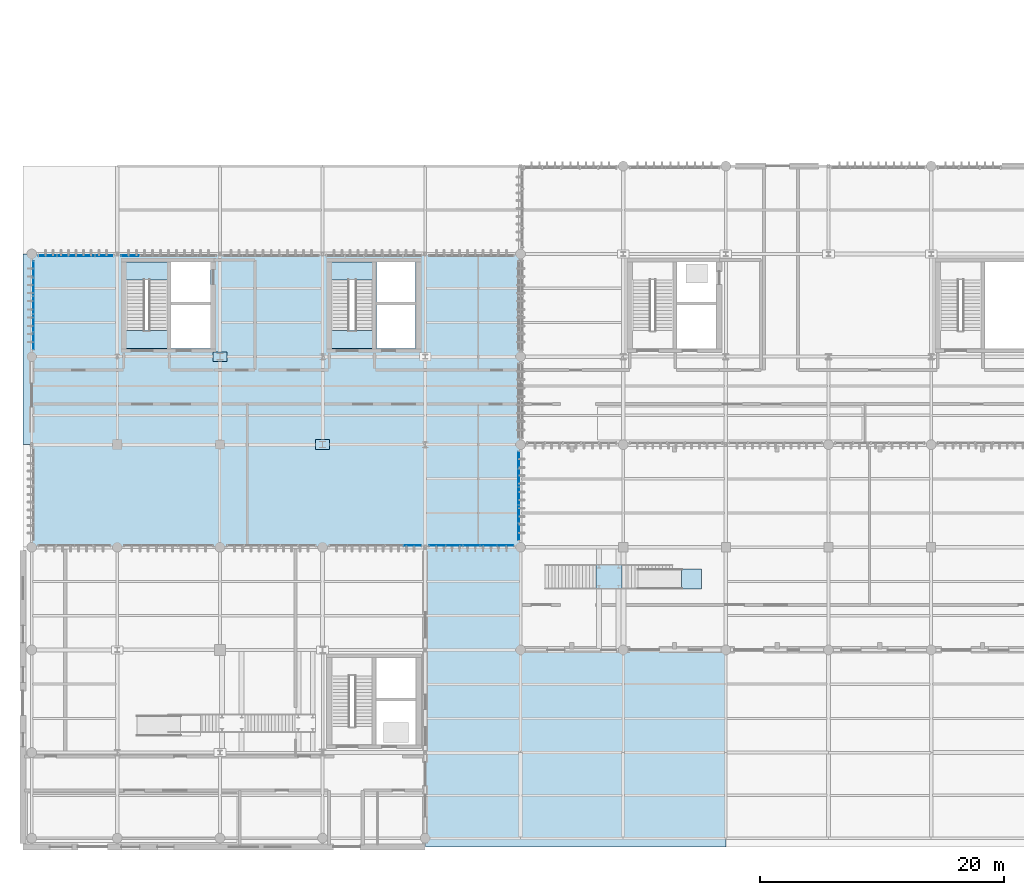
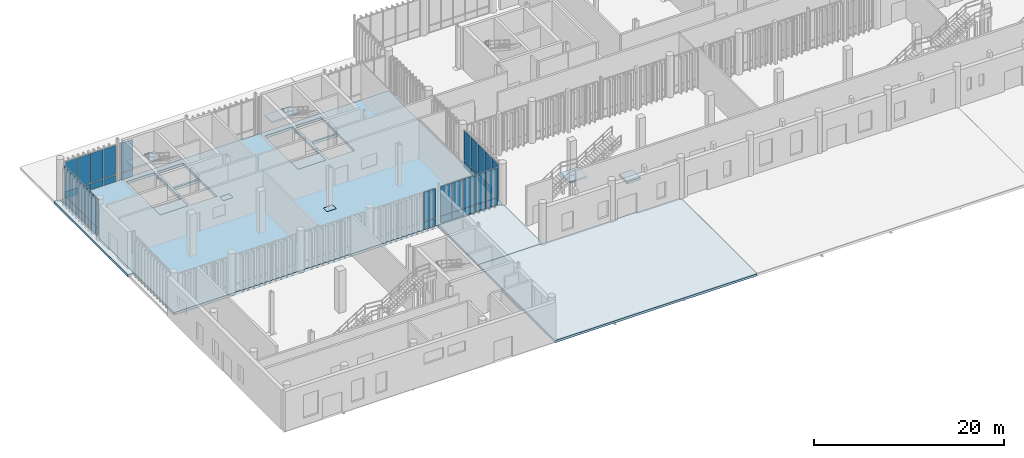
# One storey, part 76 of 112: 44 plates, 10 slabs, 9 elements without a shape of their own.
"""IFC4 building model written with IfcOpenShell, lengths in metres."""

from ifc_helpers import new_model, si_unit, direction, frame, frame_2d, origin_with_axes, origin_2d_with_axis, place, context, subcontext, project, spatial, polyline, rectangle, outline, extrude, material, layer, layer_set, type_object, element, aggregate, save


model = new_model("IFC4")

# Units and contexts
model_context = context("Model", 3, precision=1e-05, world=origin_with_axes(), true_north=direction((0.0, 1.0)))
body_context = subcontext(model_context, "Body", "Model", "MODEL_VIEW")
ifc_project = project(units=[si_unit("LENGTHUNIT", "METRE"), si_unit("AREAUNIT", "SQUARE_METRE"), si_unit("VOLUMEUNIT", "CUBIC_METRE"), si_unit("PLANEANGLEUNIT", "RADIAN"), si_unit("MASSUNIT", "GRAM", prefix="KILO"), si_unit("THERMODYNAMICTEMPERATUREUNIT", "KELVIN")], contexts=[model_context])

# Site, building, storey
site_placement = place(None, origin_with_axes())
site = spatial("IfcSite", under=ifc_project, at=site_placement, CompositionType="ELEMENT")
building_placement = place(site_placement, origin_with_axes())
building = spatial("IfcBuilding", under=site, at=building_placement, Name="Montbau Bow Law Courts", CompositionType="ELEMENT")
storey_placement = place(building_placement, origin_with_axes())
storey = spatial("IfcBuildingStorey", under=building, at=storey_placement, Name="L00", CompositionType="ELEMENT", Elevation=0.0)

# Plates
ifc_material_1 = material(Name="Steel CSA G40.21 Grade 350WT (350 MPa)", Category="steel")
ifc_layer_1 = layer(ifc_material_1, 0.065, Name="Base Plate", Category="steel")
ifc_layer_set_1 = layer_set([ifc_layer_1], Name="Steel CSA G40.21 Grade 350WT (350 MPa)")
plate_type_1 = type_object("IfcPlateType", Name="PL-BAS-01", PredefinedType="USERDEFINED", material=ifc_layer_set_1)
for number, where, z_axis, x_axis, name in (
    (1, (22.2, 46.2, -0.065), (0.0, 0.0, 1.0), (1.0, 0.0, 0.0), "BP-204:plt_0003"),
    (2, (30.6, 39.0, -0.065), (0.0, 0.0, 1.0), (1.0, 0.0, 0.0), "BP-210:plt_0005"),
):
    element("IfcPlate", number, at=place(None, frame(where, z_axis=z_axis, x_axis=x_axis)), inside=storey, type_object=plate_type_1, Name=name, ObjectType="BASE_PLATE", PredefinedType="USERDEFINED", context=body_context, shape_type="SweptSolid", body=[
        extrude(rectangle(XDim=1.15, YDim=0.8, at=origin_2d_with_axis()), origin_with_axes(), (0.0, 0.0, 1.0), 0.065),
    ])

# Curtain wall, plate
ifc_material_2 = material(Name="Thermally Broken Extruded Aluminium AA 6063-T6", Category="aluminium")
curtain_wall_type = type_object("IfcCurtainWallType", Name="CW-TRC-01", PredefinedType="NOTDEFINED", material=ifc_material_2)
curtain_wall_1_placement = place(None, frame((31.115, 30.74, 0.0), z_axis=(0.0, 0.0, 1.0), x_axis=(1.0, 0.0, 0.0)))
curtain_wall_1 = element("IfcCurtainWall", 3, at=curtain_wall_1_placement, inside=storey, type_object=curtain_wall_type, Name="CW-L00-004:cw_0004", PredefinedType="NOTDEFINED")
ifc_material_3 = material(Name="Triple-Glazed Low-E Argon Insulating Glass Unit", Category="glass")
ifc_layer_2 = layer(ifc_material_3, 0.044, Name="Curtain Panel", Category="glass")
ifc_layer_set_2 = layer_set([ifc_layer_2], Name="Triple-Glazed Low-E Argon Insulating Glass Unit")
plate_type_2 = type_object("IfcPlateType", Name="PL-CWP-01", PredefinedType="CURTAIN_PANEL", material=ifc_layer_set_2)
plate_1_placement = place(None, frame((37.243, 30.74, 0.982), z_axis=(0.0, -1.0, 0.0), x_axis=(1.0, 0.0, 0.0)))
plate_1 = element("IfcPlate", 4, at=plate_1_placement, type_object=plate_type_2, Name="CW-L00-004-P05-2:cw_0004_P05_2", PredefinedType="CURTAIN_PANEL", context=body_context, shape_type="SweptSolid", body=[
    extrude(rectangle(XDim=1.423, YDim=3.776, at=frame_2d((0.7115, 1.888), x_axis=(1.0, 0.0))), frame((0.0, 0.0, -0.022), z_axis=(0.0, 0.0, 1.0), x_axis=(1.0, 0.0, 0.0)), (0.0, 0.0, 1.0), 0.044),
])

# Curtain wall, plates
curtain_wall_2_placement = place(None, frame((39.268, 30.74, 0.0), z_axis=(0.0, 0.0, 1.0), x_axis=(1.0, 0.0, 0.0)))
curtain_wall_2 = element("IfcCurtainWall", 5, at=curtain_wall_2_placement, inside=storey, type_object=curtain_wall_type, Name="CW-L00-005:cw_0005", PredefinedType="NOTDEFINED")
plate_2_placement = place(None, frame((39.33, 30.74, 0.979), z_axis=(0.0, -1.0, 0.0), x_axis=(1.0, 0.0, 0.0)))
plate_2 = element("IfcPlate", 6, at=plate_2_placement, type_object=plate_type_2, Name="CW-L00-005-P01-2:cw_0005_P01_2", PredefinedType="CURTAIN_PANEL", context=body_context, shape_type="SweptSolid", body=[
    extrude(rectangle(XDim=1.309, YDim=3.785, at=frame_2d((0.6545, 1.8925), x_axis=(1.0, 0.0))), frame((0.0, 0.0, -0.022), z_axis=(0.0, 0.0, 1.0), x_axis=(1.0, 0.0, 0.0)), (0.0, 0.0, 1.0), 0.044),
])
plate_3_placement = place(None, frame((40.703, 30.74, 0.979), z_axis=(0.0, -1.0, 0.0), x_axis=(1.0, 0.0, 0.0)))
plate_3 = element("IfcPlate", 7, at=plate_3_placement, type_object=plate_type_2, Name="CW-L00-005-P02-2:cw_0005_P02_2", PredefinedType="CURTAIN_PANEL", context=body_context, shape_type="SweptSolid", body=[
    extrude(rectangle(XDim=1.34, YDim=3.785, at=frame_2d((0.67, 1.8925), x_axis=(1.0, 0.0))), frame((0.0, 0.0, -0.022), z_axis=(0.0, 0.0, 1.0), x_axis=(1.0, 0.0, 0.0)), (0.0, 0.0, 1.0), 0.044),
])
plate_4_placement = place(None, frame((42.107, 30.74, 0.979), z_axis=(0.0, -1.0, 0.0), x_axis=(1.0, 0.0, 0.0)))
plate_4 = element("IfcPlate", 8, at=plate_4_placement, type_object=plate_type_2, Name="CW-L00-005-P03-2:cw_0005_P03_2", PredefinedType="CURTAIN_PANEL", context=body_context, shape_type="SweptSolid", body=[
    extrude(rectangle(XDim=1.339, YDim=3.785, at=frame_2d((0.6695, 1.8925), x_axis=(1.0, 0.0))), frame((0.0, 0.0, -0.022), z_axis=(0.0, 0.0, 1.0), x_axis=(1.0, 0.0, 0.0)), (0.0, 0.0, 1.0), 0.044),
])
plate_5_placement = place(None, frame((43.51, 30.74, 0.979), z_axis=(0.0, -1.0, 0.0), x_axis=(1.0, 0.0, 0.0)))
plate_5 = element("IfcPlate", 9, at=plate_5_placement, type_object=plate_type_2, Name="CW-L00-005-P04-2:cw_0005_P04_2", PredefinedType="CURTAIN_PANEL", context=body_context, shape_type="SweptSolid", body=[
    extrude(rectangle(XDim=1.34, YDim=3.785, at=frame_2d((0.67, 1.8925), x_axis=(1.0, 0.0))), frame((0.0, 0.0, -0.022), z_axis=(0.0, 0.0, 1.0), x_axis=(1.0, 0.0, 0.0)), (0.0, 0.0, 1.0), 0.044),
])
plate_6_placement = place(None, frame((44.914, 30.74, 0.979), z_axis=(0.0, -1.0, 0.0), x_axis=(1.0, 0.0, 0.0)))
plate_6 = element("IfcPlate", 10, at=plate_6_placement, type_object=plate_type_2, Name="CW-L00-005-P05-2:cw_0005_P05_2", PredefinedType="CURTAIN_PANEL", context=body_context, shape_type="SweptSolid", body=[
    extrude(rectangle(XDim=1.309, YDim=3.785, at=frame_2d((0.6545, 1.8925), x_axis=(1.0, 0.0))), frame((0.0, 0.0, -0.022), z_axis=(0.0, 0.0, 1.0), x_axis=(1.0, 0.0, 0.0)), (0.0, 0.0, 1.0), 0.044),
])

curtain_wall_3_placement = place(None, frame((7.315, 54.46, 0.0), z_axis=(0.0, 0.0, 1.0), x_axis=(1.0, 0.0, 0.0)))
curtain_wall_3 = element("IfcCurtainWall", 11, at=curtain_wall_3_placement, inside=storey, type_object=curtain_wall_type, Name="CW-L00-006:cw_0006", PredefinedType="NOTDEFINED")
plate_7_placement = place(None, frame((7.391, 54.46, 0.982), z_axis=(0.0, -1.0, 0.0), x_axis=(1.0, 0.0, 0.0)))
plate_7 = element("IfcPlate", 12, at=plate_7_placement, type_object=plate_type_2, Name="CW-L00-006-P01-2:cw_0006_P01_2", PredefinedType="CURTAIN_PANEL", context=body_context, shape_type="SweptSolid", body=[
    extrude(rectangle(XDim=1.438, YDim=3.776, at=frame_2d((0.719, 1.888), x_axis=(1.0, 0.0))), frame((0.0, 0.0, -0.022), z_axis=(0.0, 0.0, 1.0), x_axis=(1.0, 0.0, 0.0)), (0.0, 0.0, 1.0), 0.044),
])
plate_8_placement = place(None, frame((8.909, 54.46, 0.982), z_axis=(0.0, -1.0, 0.0), x_axis=(1.0, 0.0, 0.0)))
plate_8 = element("IfcPlate", 13, at=plate_8_placement, type_object=plate_type_2, Name="CW-L00-006-P02-2:cw_0006_P02_2", PredefinedType="CURTAIN_PANEL", context=body_context, shape_type="SweptSolid", body=[
    extrude(rectangle(XDim=1.476, YDim=3.776, at=frame_2d((0.738, 1.888), x_axis=(1.0, 0.0))), frame((0.0, 0.0, -0.022), z_axis=(0.0, 0.0, 1.0), x_axis=(1.0, 0.0, 0.0)), (0.0, 0.0, 1.0), 0.044),
])
plate_9_placement = place(None, frame((10.463, 54.46, 0.982), z_axis=(0.0, -1.0, 0.0), x_axis=(1.0, 0.0, 0.0)))
plate_9 = element("IfcPlate", 14, at=plate_9_placement, type_object=plate_type_2, Name="CW-L00-006-P03-2:cw_0006_P03_2", PredefinedType="CURTAIN_PANEL", context=body_context, shape_type="SweptSolid", body=[
    extrude(rectangle(XDim=1.476, YDim=3.776, at=frame_2d((0.738, 1.888), x_axis=(1.0, 0.0))), frame((0.0, 0.0, -0.022), z_axis=(0.0, 0.0, 1.0), x_axis=(1.0, 0.0, 0.0)), (0.0, 0.0, 1.0), 0.044),
])
plate_10_placement = place(None, frame((12.017, 54.46, 0.982), z_axis=(0.0, -1.0, 0.0), x_axis=(1.0, 0.0, 0.0)))
plate_10 = element("IfcPlate", 15, at=plate_10_placement, type_object=plate_type_2, Name="CW-L00-006-P04-2:cw_0006_P04_2", PredefinedType="CURTAIN_PANEL", context=body_context, shape_type="SweptSolid", body=[
    extrude(rectangle(XDim=1.439, YDim=3.776, at=frame_2d((0.7195, 1.888), x_axis=(1.0, 0.0))), frame((0.0, 0.0, -0.022), z_axis=(0.0, 0.0, 1.0), x_axis=(1.0, 0.0, 0.0)), (0.0, 0.0, 1.0), 0.044),
])

# Curtain wall, plate
curtain_wall_4_placement = place(None, frame((14.068, 54.46, 0.0), z_axis=(0.0, 0.0, 1.0), x_axis=(1.0, 0.0, 0.0)))
curtain_wall_4 = element("IfcCurtainWall", 16, at=curtain_wall_4_placement, inside=storey, type_object=curtain_wall_type, Name="CW-L00-007:cw_0007", PredefinedType="NOTDEFINED")
plate_11_placement = place(None, frame((14.136, 54.46, 0.979), z_axis=(0.0, -1.0, 0.0), x_axis=(1.0, 0.0, 0.0)))
plate_11 = element("IfcPlate", 17, at=plate_11_placement, type_object=plate_type_2, Name="CW-L00-007-P01-2:cw_0007_P01_2", PredefinedType="CURTAIN_PANEL", context=body_context, shape_type="SweptSolid", body=[
    extrude(rectangle(XDim=1.47, YDim=3.785, at=frame_2d((0.735, 1.8925), x_axis=(1.0, 0.0))), frame((0.0, 0.0, -0.022), z_axis=(0.0, 0.0, 1.0), x_axis=(1.0, 0.0, 0.0)), (0.0, 0.0, 1.0), 0.044),
])

# Curtain wall, plates
curtain_wall_5_placement = place(None, frame((6.94, 46.715, 0.0), z_axis=(0.0, 0.0, 1.0), x_axis=(1.0, 0.0, 0.0)))
curtain_wall_5 = element("IfcCurtainWall", 18, at=curtain_wall_5_placement, inside=storey, type_object=curtain_wall_type, Name="CW-L00-012:cw_0012", PredefinedType="NOTDEFINED")
plate_12_placement = place(None, frame((6.94, 46.791, 0.982), z_axis=(1.0, 0.0, 0.0), x_axis=(0.0, 1.0, 0.0)))
plate_12 = element("IfcPlate", 19, at=plate_12_placement, type_object=plate_type_2, Name="CW-L00-012-P01-2:cw_0012_P01_2", PredefinedType="CURTAIN_PANEL", context=body_context, shape_type="SweptSolid", body=[
    extrude(rectangle(XDim=1.358, YDim=3.776, at=frame_2d((0.679, 1.888), x_axis=(1.0, 0.0))), frame((0.0, 0.0, -0.022), z_axis=(0.0, 0.0, 1.0), x_axis=(1.0, 0.0, 0.0)), (0.0, 0.0, 1.0), 0.044),
])
plate_13_placement = place(None, frame((6.94, 48.229, 0.982), z_axis=(1.0, 0.0, 0.0), x_axis=(0.0, 1.0, 0.0)))
plate_13 = element("IfcPlate", 20, at=plate_13_placement, type_object=plate_type_2, Name="CW-L00-012-P02-2:cw_0012_P02_2", PredefinedType="CURTAIN_PANEL", context=body_context, shape_type="SweptSolid", body=[
    extrude(rectangle(XDim=1.395, YDim=3.776, at=frame_2d((0.6975, 1.888), x_axis=(1.0, 0.0))), frame((0.0, 0.0, -0.022), z_axis=(0.0, 0.0, 1.0), x_axis=(1.0, 0.0, 0.0)), (0.0, 0.0, 1.0), 0.044),
])
plate_14_placement = place(None, frame((6.94, 49.702, 0.982), z_axis=(1.0, 0.0, 0.0), x_axis=(0.0, 1.0, 0.0)))
plate_14 = element("IfcPlate", 21, at=plate_14_placement, type_object=plate_type_2, Name="CW-L00-012-P03-2:cw_0012_P03_2", PredefinedType="CURTAIN_PANEL", context=body_context, shape_type="SweptSolid", body=[
    extrude(rectangle(XDim=1.396, YDim=3.776, at=frame_2d((0.698, 1.888), x_axis=(1.0, 0.0))), frame((0.0, 0.0, -0.022), z_axis=(0.0, 0.0, 1.0), x_axis=(1.0, 0.0, 0.0)), (0.0, 0.0, 1.0), 0.044),
])
plate_15_placement = place(None, frame((6.94, 51.176, 0.982), z_axis=(1.0, 0.0, 0.0), x_axis=(0.0, 1.0, 0.0)))
plate_15 = element("IfcPlate", 22, at=plate_15_placement, type_object=plate_type_2, Name="CW-L00-012-P04-2:cw_0012_P04_2", PredefinedType="CURTAIN_PANEL", context=body_context, shape_type="SweptSolid", body=[
    extrude(rectangle(XDim=1.396, YDim=3.776, at=frame_2d((0.698, 1.888), x_axis=(1.0, 0.0))), frame((0.0, 0.0, -0.022), z_axis=(0.0, 0.0, 1.0), x_axis=(1.0, 0.0, 0.0)), (0.0, 0.0, 1.0), 0.044),
])
plate_16_placement = place(None, frame((6.94, 52.65, 0.982), z_axis=(1.0, 0.0, 0.0), x_axis=(0.0, 1.0, 0.0)))
plate_16 = element("IfcPlate", 23, at=plate_16_placement, type_object=plate_type_2, Name="CW-L00-012-P05-2:cw_0012_P05_2", PredefinedType="CURTAIN_PANEL", context=body_context, shape_type="SweptSolid", body=[
    extrude(rectangle(XDim=1.358, YDim=3.776, at=frame_2d((0.679, 1.888), x_axis=(1.0, 0.0))), frame((0.0, 0.0, -0.022), z_axis=(0.0, 0.0, 1.0), x_axis=(1.0, 0.0, 0.0)), (0.0, 0.0, 1.0), 0.044),
])

curtain_wall_6_placement = place(None, frame((46.66, 31.115, 0.0), z_axis=(0.0, 0.0, 1.0), x_axis=(1.0, 0.0, 0.0)))
curtain_wall_6 = element("IfcCurtainWall", 24, at=curtain_wall_6_placement, inside=storey, type_object=curtain_wall_type, Name="CW-L00-013:cw_0013", PredefinedType="NOTDEFINED")
plate_17_placement = place(None, frame((46.66, 31.183, 0.979), z_axis=(1.0, 0.0, 0.0), x_axis=(0.0, 1.0, 0.0)))
plate_17 = element("IfcPlate", 25, at=plate_17_placement, type_object=plate_type_2, Name="CW-L00-013-P01-2:cw_0013_P01_2", PredefinedType="CURTAIN_PANEL", context=body_context, shape_type="SweptSolid", body=[
    extrude(rectangle(XDim=1.372, YDim=3.785, at=frame_2d((0.686, 1.8925), x_axis=(1.0, 0.0))), frame((0.0, 0.0, -0.022), z_axis=(0.0, 0.0, 1.0), x_axis=(1.0, 0.0, 0.0)), (0.0, 0.0, 1.0), 0.044),
])
plate_18_placement = place(None, frame((46.66, 32.623, 0.979), z_axis=(1.0, 0.0, 0.0), x_axis=(0.0, 1.0, 0.0)))
plate_18 = element("IfcPlate", 26, at=plate_18_placement, type_object=plate_type_2, Name="CW-L00-013-P02-2:cw_0013_P02_2", PredefinedType="CURTAIN_PANEL", context=body_context, shape_type="SweptSolid", body=[
    extrude(rectangle(XDim=1.405, YDim=3.785, at=frame_2d((0.7025, 1.8925), x_axis=(1.0, 0.0))), frame((0.0, 0.0, -0.022), z_axis=(0.0, 0.0, 1.0), x_axis=(1.0, 0.0, 0.0)), (0.0, 0.0, 1.0), 0.044),
])
plate_19_placement = place(None, frame((46.66, 34.097, 0.979), z_axis=(1.0, 0.0, 0.0), x_axis=(0.0, 1.0, 0.0)))
plate_19 = element("IfcPlate", 27, at=plate_19_placement, type_object=plate_type_2, Name="CW-L00-013-P03-2:cw_0013_P03_2", PredefinedType="CURTAIN_PANEL", context=body_context, shape_type="SweptSolid", body=[
    extrude(rectangle(XDim=1.406, YDim=3.785, at=frame_2d((0.703, 1.8925), x_axis=(1.0, 0.0))), frame((0.0, 0.0, -0.022), z_axis=(0.0, 0.0, 1.0), x_axis=(1.0, 0.0, 0.0)), (0.0, 0.0, 1.0), 0.044),
])
plate_20_placement = place(None, frame((46.66, 35.571, 0.979), z_axis=(1.0, 0.0, 0.0), x_axis=(0.0, 1.0, 0.0)))
plate_20 = element("IfcPlate", 28, at=plate_20_placement, type_object=plate_type_2, Name="CW-L00-013-P04-2:cw_0013_P04_2", PredefinedType="CURTAIN_PANEL", context=body_context, shape_type="SweptSolid", body=[
    extrude(rectangle(XDim=1.406, YDim=3.785, at=frame_2d((0.703, 1.8925), x_axis=(1.0, 0.0))), frame((0.0, 0.0, -0.022), z_axis=(0.0, 0.0, 1.0), x_axis=(1.0, 0.0, 0.0)), (0.0, 0.0, 1.0), 0.044),
])
plate_21_placement = place(None, frame((46.66, 37.045, 0.979), z_axis=(1.0, 0.0, 0.0), x_axis=(0.0, 1.0, 0.0)))
plate_21 = element("IfcPlate", 29, at=plate_21_placement, type_object=plate_type_2, Name="CW-L00-013-P05-2:cw_0013_P05_2", PredefinedType="CURTAIN_PANEL", context=body_context, shape_type="SweptSolid", body=[
    extrude(rectangle(XDim=1.374, YDim=3.785, at=frame_2d((0.687, 1.8925), x_axis=(1.0, 0.0))), frame((0.0, 0.0, -0.022), z_axis=(0.0, 0.0, 1.0), x_axis=(1.0, 0.0, 0.0)), (0.0, 0.0, 1.0), 0.044),
])

# Plate
ifc_material_4 = material(Name="Insulated Ceramic-Frit Spandrel Glazing Unit", Category="glass")
ifc_layer_3 = layer(ifc_material_4, 0.056, Name="Curtain Panel", Category="glass")
ifc_layer_set_3 = layer_set([ifc_layer_3], Name="Insulated Ceramic-Frit Spandrel Glazing Unit")
plate_type_3 = type_object("IfcPlateType", Name="PL-CWP-02", PredefinedType="CURTAIN_PANEL", material=ifc_layer_set_3)
plate_22_placement = place(None, frame((37.243, 30.74, 0.062), z_axis=(0.0, -1.0, 0.0), x_axis=(1.0, 0.0, 0.0)))
plate_22 = element("IfcPlate", 30, at=plate_22_placement, type_object=plate_type_3, Name="CW-L00-004-P05-1:cw_0004_P05_1", PredefinedType="CURTAIN_PANEL", context=body_context, shape_type="SweptSolid", body=[
    extrude(rectangle(XDim=1.423, YDim=0.856, at=frame_2d((0.7115, 0.428), x_axis=(1.0, 0.0))), frame((0.0, 0.0, -0.028), z_axis=(0.0, 0.0, 1.0), x_axis=(1.0, 0.0, 0.0)), (0.0, 0.0, 1.0), 0.056),
])

aggregate(curtain_wall_1, [plate_22, plate_1])

plate_23_placement = place(None, frame((39.33, 30.74, 0.058), z_axis=(0.0, -1.0, 0.0), x_axis=(1.0, 0.0, 0.0)))
plate_23 = element("IfcPlate", 31, at=plate_23_placement, type_object=plate_type_3, Name="CW-L00-005-P01-1:cw_0005_P01_1", PredefinedType="CURTAIN_PANEL", context=body_context, shape_type="SweptSolid", body=[
    extrude(rectangle(XDim=1.309, YDim=0.862, at=frame_2d((0.6545, 0.431), x_axis=(1.0, 0.0))), frame((0.0, 0.0, -0.028), z_axis=(0.0, 0.0, 1.0), x_axis=(1.0, 0.0, 0.0)), (0.0, 0.0, 1.0), 0.056),
])

plate_24_placement = place(None, frame((40.703, 30.74, 0.058), z_axis=(0.0, -1.0, 0.0), x_axis=(1.0, 0.0, 0.0)))
plate_24 = element("IfcPlate", 32, at=plate_24_placement, type_object=plate_type_3, Name="CW-L00-005-P02-1:cw_0005_P02_1", PredefinedType="CURTAIN_PANEL", context=body_context, shape_type="SweptSolid", body=[
    extrude(rectangle(XDim=1.34, YDim=0.862, at=frame_2d((0.67, 0.431), x_axis=(1.0, 0.0))), frame((0.0, 0.0, -0.028), z_axis=(0.0, 0.0, 1.0), x_axis=(1.0, 0.0, 0.0)), (0.0, 0.0, 1.0), 0.056),
])

plate_25_placement = place(None, frame((42.107, 30.74, 0.058), z_axis=(0.0, -1.0, 0.0), x_axis=(1.0, 0.0, 0.0)))
plate_25 = element("IfcPlate", 33, at=plate_25_placement, type_object=plate_type_3, Name="CW-L00-005-P03-1:cw_0005_P03_1", PredefinedType="CURTAIN_PANEL", context=body_context, shape_type="SweptSolid", body=[
    extrude(rectangle(XDim=1.339, YDim=0.862, at=frame_2d((0.6695, 0.431), x_axis=(1.0, 0.0))), frame((0.0, 0.0, -0.028), z_axis=(0.0, 0.0, 1.0), x_axis=(1.0, 0.0, 0.0)), (0.0, 0.0, 1.0), 0.056),
])

plate_26_placement = place(None, frame((43.51, 30.74, 0.058), z_axis=(0.0, -1.0, 0.0), x_axis=(1.0, 0.0, 0.0)))
plate_26 = element("IfcPlate", 34, at=plate_26_placement, type_object=plate_type_3, Name="CW-L00-005-P04-1:cw_0005_P04_1", PredefinedType="CURTAIN_PANEL", context=body_context, shape_type="SweptSolid", body=[
    extrude(rectangle(XDim=1.34, YDim=0.862, at=frame_2d((0.67, 0.431), x_axis=(1.0, 0.0))), frame((0.0, 0.0, -0.028), z_axis=(0.0, 0.0, 1.0), x_axis=(1.0, 0.0, 0.0)), (0.0, 0.0, 1.0), 0.056),
])

plate_27_placement = place(None, frame((44.914, 30.74, 0.058), z_axis=(0.0, -1.0, 0.0), x_axis=(1.0, 0.0, 0.0)))
plate_27 = element("IfcPlate", 35, at=plate_27_placement, type_object=plate_type_3, Name="CW-L00-005-P05-1:cw_0005_P05_1", PredefinedType="CURTAIN_PANEL", context=body_context, shape_type="SweptSolid", body=[
    extrude(rectangle(XDim=1.309, YDim=0.862, at=frame_2d((0.6545, 0.431), x_axis=(1.0, 0.0))), frame((0.0, 0.0, -0.028), z_axis=(0.0, 0.0, 1.0), x_axis=(1.0, 0.0, 0.0)), (0.0, 0.0, 1.0), 0.056),
])

aggregate(curtain_wall_2, [plate_23, plate_2, plate_24, plate_3, plate_25, plate_4, plate_26, plate_5, plate_27, plate_6])

plate_28_placement = place(None, frame((7.391, 54.46, 0.062), z_axis=(0.0, -1.0, 0.0), x_axis=(1.0, 0.0, 0.0)))
plate_28 = element("IfcPlate", 36, at=plate_28_placement, type_object=plate_type_3, Name="CW-L00-006-P01-1:cw_0006_P01_1", PredefinedType="CURTAIN_PANEL", context=body_context, shape_type="SweptSolid", body=[
    extrude(rectangle(XDim=1.438, YDim=0.856, at=frame_2d((0.719, 0.428), x_axis=(1.0, 0.0))), frame((0.0, 0.0, -0.028), z_axis=(0.0, 0.0, 1.0), x_axis=(1.0, 0.0, 0.0)), (0.0, 0.0, 1.0), 0.056),
])

plate_29_placement = place(None, frame((8.909, 54.46, 0.062), z_axis=(0.0, -1.0, 0.0), x_axis=(1.0, 0.0, 0.0)))
plate_29 = element("IfcPlate", 37, at=plate_29_placement, type_object=plate_type_3, Name="CW-L00-006-P02-1:cw_0006_P02_1", PredefinedType="CURTAIN_PANEL", context=body_context, shape_type="SweptSolid", body=[
    extrude(rectangle(XDim=1.476, YDim=0.856, at=frame_2d((0.738, 0.428), x_axis=(1.0, 0.0))), frame((0.0, 0.0, -0.028), z_axis=(0.0, 0.0, 1.0), x_axis=(1.0, 0.0, 0.0)), (0.0, 0.0, 1.0), 0.056),
])

plate_30_placement = place(None, frame((10.463, 54.46, 0.062), z_axis=(0.0, -1.0, 0.0), x_axis=(1.0, 0.0, 0.0)))
plate_30 = element("IfcPlate", 38, at=plate_30_placement, type_object=plate_type_3, Name="CW-L00-006-P03-1:cw_0006_P03_1", PredefinedType="CURTAIN_PANEL", context=body_context, shape_type="SweptSolid", body=[
    extrude(rectangle(XDim=1.476, YDim=0.856, at=frame_2d((0.738, 0.428), x_axis=(1.0, 0.0))), frame((0.0, 0.0, -0.028), z_axis=(0.0, 0.0, 1.0), x_axis=(1.0, 0.0, 0.0)), (0.0, 0.0, 1.0), 0.056),
])

plate_31_placement = place(None, frame((12.017, 54.46, 0.062), z_axis=(0.0, -1.0, 0.0), x_axis=(1.0, 0.0, 0.0)))
plate_31 = element("IfcPlate", 39, at=plate_31_placement, type_object=plate_type_3, Name="CW-L00-006-P04-1:cw_0006_P04_1", PredefinedType="CURTAIN_PANEL", context=body_context, shape_type="SweptSolid", body=[
    extrude(rectangle(XDim=1.439, YDim=0.856, at=frame_2d((0.7195, 0.428), x_axis=(1.0, 0.0))), frame((0.0, 0.0, -0.028), z_axis=(0.0, 0.0, 1.0), x_axis=(1.0, 0.0, 0.0)), (0.0, 0.0, 1.0), 0.056),
])

aggregate(curtain_wall_3, [plate_28, plate_7, plate_29, plate_8, plate_30, plate_9, plate_31, plate_10])

plate_32_placement = place(None, frame((14.136, 54.46, 0.058), z_axis=(0.0, -1.0, 0.0), x_axis=(1.0, 0.0, 0.0)))
plate_32 = element("IfcPlate", 40, at=plate_32_placement, type_object=plate_type_3, Name="CW-L00-007-P01-1:cw_0007_P01_1", PredefinedType="CURTAIN_PANEL", context=body_context, shape_type="SweptSolid", body=[
    extrude(rectangle(XDim=1.47, YDim=0.862, at=frame_2d((0.735, 0.431), x_axis=(1.0, 0.0))), frame((0.0, 0.0, -0.028), z_axis=(0.0, 0.0, 1.0), x_axis=(1.0, 0.0, 0.0)), (0.0, 0.0, 1.0), 0.056),
])

aggregate(curtain_wall_4, [plate_32, plate_11])

plate_33_placement = place(None, frame((6.94, 46.791, 0.062), z_axis=(1.0, 0.0, 0.0), x_axis=(0.0, 1.0, 0.0)))
plate_33 = element("IfcPlate", 41, at=plate_33_placement, type_object=plate_type_3, Name="CW-L00-012-P01-1:cw_0012_P01_1", PredefinedType="CURTAIN_PANEL", context=body_context, shape_type="SweptSolid", body=[
    extrude(rectangle(XDim=1.358, YDim=0.856, at=frame_2d((0.679, 0.428), x_axis=(1.0, 0.0))), frame((0.0, 0.0, -0.028), z_axis=(0.0, 0.0, 1.0), x_axis=(1.0, 0.0, 0.0)), (0.0, 0.0, 1.0), 0.056),
])

plate_34_placement = place(None, frame((6.94, 48.229, 0.062), z_axis=(1.0, 0.0, 0.0), x_axis=(0.0, 1.0, 0.0)))
plate_34 = element("IfcPlate", 42, at=plate_34_placement, type_object=plate_type_3, Name="CW-L00-012-P02-1:cw_0012_P02_1", PredefinedType="CURTAIN_PANEL", context=body_context, shape_type="SweptSolid", body=[
    extrude(rectangle(XDim=1.395, YDim=0.856, at=frame_2d((0.6975, 0.428), x_axis=(1.0, 0.0))), frame((0.0, 0.0, -0.028), z_axis=(0.0, 0.0, 1.0), x_axis=(1.0, 0.0, 0.0)), (0.0, 0.0, 1.0), 0.056),
])

plate_35_placement = place(None, frame((6.94, 49.702, 0.062), z_axis=(1.0, 0.0, 0.0), x_axis=(0.0, 1.0, 0.0)))
plate_35 = element("IfcPlate", 43, at=plate_35_placement, type_object=plate_type_3, Name="CW-L00-012-P03-1:cw_0012_P03_1", PredefinedType="CURTAIN_PANEL", context=body_context, shape_type="SweptSolid", body=[
    extrude(rectangle(XDim=1.396, YDim=0.856, at=frame_2d((0.698, 0.428), x_axis=(1.0, 0.0))), frame((0.0, 0.0, -0.028), z_axis=(0.0, 0.0, 1.0), x_axis=(1.0, 0.0, 0.0)), (0.0, 0.0, 1.0), 0.056),
])

plate_36_placement = place(None, frame((6.94, 51.176, 0.062), z_axis=(1.0, 0.0, 0.0), x_axis=(0.0, 1.0, 0.0)))
plate_36 = element("IfcPlate", 44, at=plate_36_placement, type_object=plate_type_3, Name="CW-L00-012-P04-1:cw_0012_P04_1", PredefinedType="CURTAIN_PANEL", context=body_context, shape_type="SweptSolid", body=[
    extrude(rectangle(XDim=1.396, YDim=0.856, at=frame_2d((0.698, 0.428), x_axis=(1.0, 0.0))), frame((0.0, 0.0, -0.028), z_axis=(0.0, 0.0, 1.0), x_axis=(1.0, 0.0, 0.0)), (0.0, 0.0, 1.0), 0.056),
])

plate_37_placement = place(None, frame((6.94, 52.65, 0.062), z_axis=(1.0, 0.0, 0.0), x_axis=(0.0, 1.0, 0.0)))
plate_37 = element("IfcPlate", 45, at=plate_37_placement, type_object=plate_type_3, Name="CW-L00-012-P05-1:cw_0012_P05_1", PredefinedType="CURTAIN_PANEL", context=body_context, shape_type="SweptSolid", body=[
    extrude(rectangle(XDim=1.358, YDim=0.856, at=frame_2d((0.679, 0.428), x_axis=(1.0, 0.0))), frame((0.0, 0.0, -0.028), z_axis=(0.0, 0.0, 1.0), x_axis=(1.0, 0.0, 0.0)), (0.0, 0.0, 1.0), 0.056),
])

aggregate(curtain_wall_5, [plate_33, plate_12, plate_34, plate_13, plate_35, plate_14, plate_36, plate_15, plate_37, plate_16])

plate_38_placement = place(None, frame((46.66, 31.183, 0.058), z_axis=(1.0, 0.0, 0.0), x_axis=(0.0, 1.0, 0.0)))
plate_38 = element("IfcPlate", 46, at=plate_38_placement, type_object=plate_type_3, Name="CW-L00-013-P01-1:cw_0013_P01_1", PredefinedType="CURTAIN_PANEL", context=body_context, shape_type="SweptSolid", body=[
    extrude(rectangle(XDim=1.372, YDim=0.862, at=frame_2d((0.686, 0.431), x_axis=(1.0, 0.0))), frame((0.0, 0.0, -0.028), z_axis=(0.0, 0.0, 1.0), x_axis=(1.0, 0.0, 0.0)), (0.0, 0.0, 1.0), 0.056),
])

plate_39_placement = place(None, frame((46.66, 32.623, 0.058), z_axis=(1.0, 0.0, 0.0), x_axis=(0.0, 1.0, 0.0)))
plate_39 = element("IfcPlate", 47, at=plate_39_placement, type_object=plate_type_3, Name="CW-L00-013-P02-1:cw_0013_P02_1", PredefinedType="CURTAIN_PANEL", context=body_context, shape_type="SweptSolid", body=[
    extrude(rectangle(XDim=1.405, YDim=0.862, at=frame_2d((0.7025, 0.431), x_axis=(1.0, 0.0))), frame((0.0, 0.0, -0.028), z_axis=(0.0, 0.0, 1.0), x_axis=(1.0, 0.0, 0.0)), (0.0, 0.0, 1.0), 0.056),
])

plate_40_placement = place(None, frame((46.66, 34.097, 0.058), z_axis=(1.0, 0.0, 0.0), x_axis=(0.0, 1.0, 0.0)))
plate_40 = element("IfcPlate", 48, at=plate_40_placement, type_object=plate_type_3, Name="CW-L00-013-P03-1:cw_0013_P03_1", PredefinedType="CURTAIN_PANEL", context=body_context, shape_type="SweptSolid", body=[
    extrude(rectangle(XDim=1.406, YDim=0.862, at=frame_2d((0.703, 0.431), x_axis=(1.0, 0.0))), frame((0.0, 0.0, -0.028), z_axis=(0.0, 0.0, 1.0), x_axis=(1.0, 0.0, 0.0)), (0.0, 0.0, 1.0), 0.056),
])

plate_41_placement = place(None, frame((46.66, 35.571, 0.058), z_axis=(1.0, 0.0, 0.0), x_axis=(0.0, 1.0, 0.0)))
plate_41 = element("IfcPlate", 49, at=plate_41_placement, type_object=plate_type_3, Name="CW-L00-013-P04-1:cw_0013_P04_1", PredefinedType="CURTAIN_PANEL", context=body_context, shape_type="SweptSolid", body=[
    extrude(rectangle(XDim=1.406, YDim=0.862, at=frame_2d((0.703, 0.431), x_axis=(1.0, 0.0))), frame((0.0, 0.0, -0.028), z_axis=(0.0, 0.0, 1.0), x_axis=(1.0, 0.0, 0.0)), (0.0, 0.0, 1.0), 0.056),
])

plate_42_placement = place(None, frame((46.66, 37.045, 0.058), z_axis=(1.0, 0.0, 0.0), x_axis=(0.0, 1.0, 0.0)))
plate_42 = element("IfcPlate", 50, at=plate_42_placement, type_object=plate_type_3, Name="CW-L00-013-P05-1:cw_0013_P05_1", PredefinedType="CURTAIN_PANEL", context=body_context, shape_type="SweptSolid", body=[
    extrude(rectangle(XDim=1.374, YDim=0.862, at=frame_2d((0.687, 0.431), x_axis=(1.0, 0.0))), frame((0.0, 0.0, -0.028), z_axis=(0.0, 0.0, 1.0), x_axis=(1.0, 0.0, 0.0)), (0.0, 0.0, 1.0), 0.056),
])

aggregate(curtain_wall_6, [plate_38, plate_17, plate_39, plate_18, plate_40, plate_19, plate_41, plate_20, plate_42, plate_21])

# Slabs
ifc_material_5 = material(Name="Concrete CSA A23.1 f'c 40 MPa", Category="concrete")
ifc_layer_4 = layer(ifc_material_5, 0.3, Name="Floor Slab", Category="concrete")
ifc_layer_set_4 = layer_set([ifc_layer_4], Name="Concrete CSA A23.1 f'c 40 MPa")
slab_type_1 = type_object("IfcSlabType", Name="SL-FLR-06", PredefinedType="FLOOR", material=ifc_layer_set_4)
slab_1_placement = place(None, origin_with_axes())
element("IfcSlab", 51, at=slab_1_placement, inside=storey, type_object=slab_type_1, Name="DAIS-R-BF1:slb_0092", PredefinedType="FLOOR", context=body_context, shape_type="SweptSolid", body=[
    extrude(outline(polyline([(59.955, 27.175), (61.6, 27.175), (61.6, 28.825), (59.955, 28.825), (59.955, 27.175)])), origin_with_axes(), (0.0, 0.0, 1.0), 0.3),
])
ifc_layer_5 = layer(ifc_material_5, 0.34, Name="Floor Slab", Category="concrete")
ifc_layer_set_5 = layer_set([ifc_layer_5], Name="Concrete CSA A23.1 f'c 40 MPa")
slab_type_2 = type_object("IfcSlabType", Name="SL-FLR-07", PredefinedType="FLOOR", material=ifc_layer_set_5)
slab_2_placement = place(None, frame((0.0, 0.0, -0.34), z_axis=(0.0, 0.0, 1.0), x_axis=(1.0, 0.0, 0.0)))
element("IfcSlab", 52, at=slab_2_placement, inside=storey, type_object=slab_type_2, Name="SL-V2-L00:slb_0007", PredefinedType="FLOOR", context=body_context, shape_type="SweptSolid", body=[
    extrude(outline(polyline([(6.8, 30.6), (46.8, 30.6), (46.8, 54.6), (6.8, 54.6), (6.8, 30.6)]), holes=[polyline([(14.52, 46.888), (17.9, 46.888), (17.9, 53.93), (14.52, 53.93), (14.52, 46.888)]), polyline([(18.2, 46.87), (21.41, 46.87), (21.41, 50.421), (18.2, 50.421), (18.2, 46.87)]), polyline([(18.2, 50.661), (21.41, 50.661), (21.41, 53.93), (18.2, 53.93), (18.2, 50.661)]), polyline([(31.32, 46.888), (34.7, 46.888), (34.7, 53.93), (31.32, 53.93), (31.32, 46.888)]), polyline([(35.0, 46.87), (38.21, 46.87), (38.21, 50.421), (35.0, 50.421), (35.0, 46.87)]), polyline([(35.0, 50.661), (38.21, 50.661), (38.21, 53.93), (35.0, 53.93), (35.0, 50.661)])]), origin_with_axes(), (0.0, 0.0, 1.0), 0.34),
])

# Stair, slab
ifc_material_6 = material(Name="Steel CSA G40.21 Grade 350W (350 MPa)", Category="steel")
stair_type_1 = type_object("IfcStairType", Name="ST-GRD-2200", PredefinedType="STRAIGHT_RUN_STAIR", material=ifc_material_6)
stair_1_placement = place(None, frame((48.8, 28.2, 0.0), z_axis=(0.0, 0.0, 1.0), x_axis=(1.0, 0.0, 0.0)))
stair_1 = element("IfcStair", 53, at=stair_1_placement, inside=storey, type_object=stair_type_1, Name="ST-GRD-01:str_0061", PredefinedType="STRAIGHT_RUN_STAIR")
ifc_layer_6 = layer(ifc_material_5, 0.18, Name="Landing", Category="concrete")
ifc_layer_set_6 = layer_set([ifc_layer_6], Name="Concrete CSA A23.1 f'c 40 MPa")
slab_type_3 = type_object("IfcSlabType", Name="SL-LND-01", PredefinedType="LANDING", material=ifc_layer_set_6)
slab_3_placement = place(None, frame((0.0, 0.0, 2.52), z_axis=(0.0, 0.0, 1.0), x_axis=(1.0, 0.0, 0.0)))
slab_3 = element("IfcSlab", 54, at=slab_3_placement, type_object=slab_type_3, Name="ST-GRD-01-LM:str_0061_LM", PredefinedType="LANDING", context=body_context, shape_type="SweptSolid", body=[
    extrude(outline(polyline([(52.96, 27.2), (55.09, 27.2), (55.09, 29.2), (52.96, 29.2), (52.96, 27.2)])), origin_with_axes(), (0.0, 0.0, 1.0), 0.18),
])
aggregate(stair_1, [slab_3])

# Stair, slabs
stair_type_2 = type_object("IfcStairType", Name="ST-PUB-1800", PredefinedType="HALF_TURN_STAIR", material=ifc_material_5)
stair_2_placement = place(None, frame((15.305, 48.3, 0.0), z_axis=(0.0, 0.0, 1.0), x_axis=(1.0, 0.0, 0.0)))
stair_2 = element("IfcStair", 55, at=stair_2_placement, inside=storey, type_object=stair_type_2, Name="ST-P1-L00:str_0002", PredefinedType="HALF_TURN_STAIR")
ifc_layer_7 = layer(ifc_material_5, 0.21, Name="Landing", Category="concrete")
ifc_layer_set_7 = layer_set([ifc_layer_7], Name="Concrete CSA A23.1 f'c 40 MPa")
slab_type_4 = type_object("IfcSlabType", Name="SL-LND-02", PredefinedType="LANDING", material=ifc_layer_set_7)
slab_4_placement = place(None, frame((0.0, 0.0, -0.21), z_axis=(0.0, 0.0, 1.0), x_axis=(1.0, 0.0, 0.0)))
slab_4 = element("IfcSlab", 56, at=slab_4_placement, type_object=slab_type_4, Name="ST-P1-L00-LB:str_0002_LB", PredefinedType="LANDING", context=body_context, shape_type="SweptSolid", body=[
    extrude(outline(polyline([(14.52, 46.87), (17.9, 46.87), (17.9, 48.34), (14.52, 48.34), (14.52, 46.87)])), origin_with_axes(), (0.0, 0.0, 1.0), 0.21),
])
slab_5_placement = place(None, frame((0.0, 0.0, 2.49), z_axis=(0.0, 0.0, 1.0), x_axis=(1.0, 0.0, 0.0)))
slab_5 = element("IfcSlab", 57, at=slab_5_placement, type_object=slab_type_4, Name="ST-P1-L00-LM:str_0002_LM", PredefinedType="LANDING", context=body_context, shape_type="SweptSolid", body=[
    extrude(outline(polyline([(14.52, 52.46), (17.9, 52.46), (17.9, 53.96), (14.52, 53.96), (14.52, 52.46)])), origin_with_axes(), (0.0, 0.0, 1.0), 0.21),
])
aggregate(stair_2, [slab_4, slab_5])

stair_type_3 = type_object("IfcStairType", Name="ST-JUD-1500", PredefinedType="HALF_TURN_STAIR", material=ifc_material_5)
stair_3_placement = place(None, frame((32.065, 48.3, 0.0), z_axis=(0.0, 0.0, 1.0), x_axis=(1.0, 0.0, 0.0)))
stair_3 = element("IfcStair", 58, at=stair_3_placement, inside=storey, type_object=stair_type_3, Name="ST-J1-L00:str_0010", PredefinedType="HALF_TURN_STAIR")
slab_6_placement = place(None, frame((0.0, 0.0, -0.21), z_axis=(0.0, 0.0, 1.0), x_axis=(1.0, 0.0, 0.0)))
slab_6 = element("IfcSlab", 59, at=slab_6_placement, type_object=slab_type_4, Name="ST-J1-L00-LB:str_0010_LB", PredefinedType="LANDING", context=body_context, shape_type="SweptSolid", body=[
    extrude(outline(polyline([(31.32, 46.87), (34.7, 46.87), (34.7, 48.34), (31.32, 48.34), (31.32, 46.87)])), origin_with_axes(), (0.0, 0.0, 1.0), 0.21),
])
slab_7_placement = place(None, frame((0.0, 0.0, 2.49), z_axis=(0.0, 0.0, 1.0), x_axis=(1.0, 0.0, 0.0)))
slab_7 = element("IfcSlab", 60, at=slab_7_placement, type_object=slab_type_4, Name="ST-J1-L00-LM:str_0010_LM", PredefinedType="LANDING", context=body_context, shape_type="SweptSolid", body=[
    extrude(outline(polyline([(31.32, 52.46), (34.7, 52.46), (34.7, 53.96), (31.32, 53.96), (31.32, 52.46)])), origin_with_axes(), (0.0, 0.0, 1.0), 0.21),
])
aggregate(stair_3, [slab_6, slab_7])

# Slabs
ifc_layer_8 = layer(ifc_material_5, 0.29, Name="Roof Slab", Category="concrete")
ifc_layer_set_8 = layer_set([ifc_layer_8], Name="Concrete CSA A23.1 f'c 40 MPa")
slab_type_5 = type_object("IfcSlabType", Name="SL-ROF-02", PredefinedType="ROOF", material=ifc_layer_set_8)
slab_8_placement = place(None, frame((0.0, 0.0, -0.29), z_axis=(0.0, 0.0, 1.0), x_axis=(1.0, 0.0, 0.0)))
element("IfcSlab", 61, at=slab_8_placement, inside=storey, type_object=slab_type_5, Name="RF-SLB-LID-L00-01:slb_0052", PredefinedType="ROOF", context=body_context, shape_type="SweptSolid", body=[
    extrude(outline(polyline([(39.004, 22.196), (63.596, 22.196), (63.596, 6.08), (39.004, 6.08), (39.004, 22.196)])), origin_with_axes(), (0.0, 0.0, 1.0), 0.29),
])
slab_9_placement = place(None, frame((0.0, 0.0, -0.29), z_axis=(0.0, 0.0, 1.0), x_axis=(1.0, 0.0, 0.0)))
element("IfcSlab", 62, at=slab_9_placement, inside=storey, type_object=slab_type_5, Name="RF-SLB-LID-L00-04:slb_0055", PredefinedType="ROOF", context=body_context, shape_type="SweptSolid", body=[
    extrude(outline(polyline([(39.004, 30.596), (46.796, 30.596), (46.796, 22.204), (39.004, 22.204), (39.004, 30.596)])), origin_with_axes(), (0.0, 0.0, 1.0), 0.29),
])
slab_10_placement = place(None, frame((0.0, 0.0, -0.29), z_axis=(0.0, 0.0, 1.0), x_axis=(1.0, 0.0, 0.0)))
element("IfcSlab", 63, at=slab_10_placement, inside=storey, type_object=slab_type_5, Name="RF-SLB-LID-L00-06:slb_0057", PredefinedType="ROOF", context=body_context, shape_type="SweptSolid", body=[
    extrude(outline(polyline([(6.796, 39.004), (6.08, 39.004), (6.08, 54.596), (6.796, 54.596), (6.796, 39.004)])), origin_with_axes(), (0.0, 0.0, 1.0), 0.29),
])

save(model, "model.ifc")
